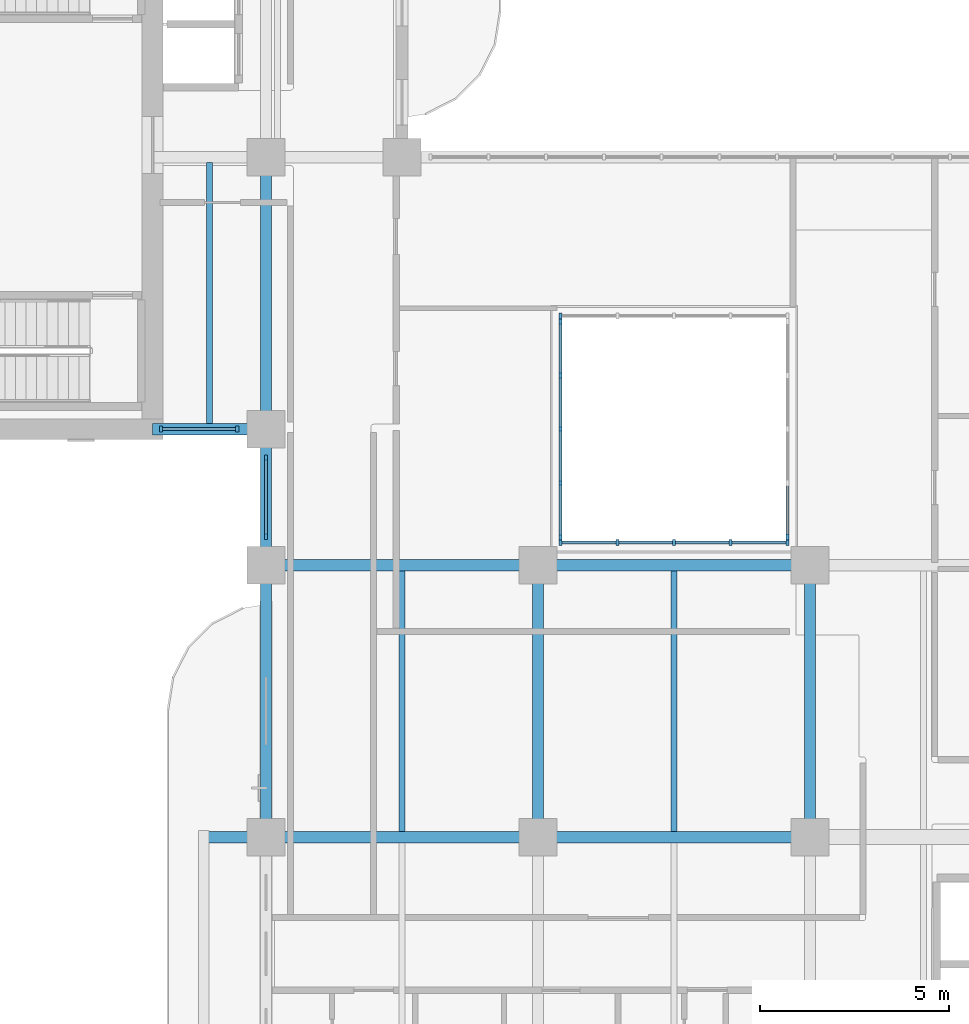
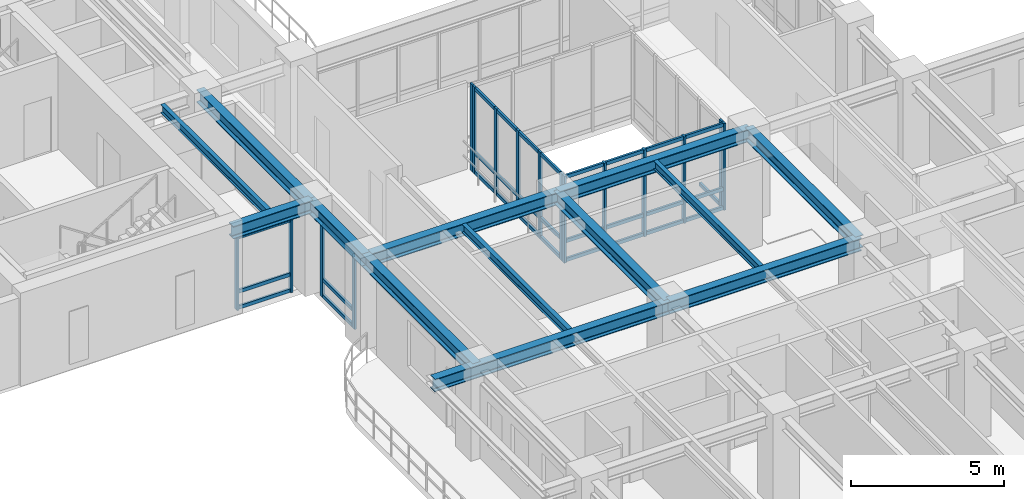
# One storey, part 2 of 20: 47 members, 13 beams, 6 elements without a shape of their own.
"""IFC4 building model written with IfcOpenShell, lengths in metres."""

import ifcopenshell
import ifcopenshell.guid

model = None  # the IFC model being written
_history = None  # IfcOwnerHistory: only IFC2X3 demands one
_inside = {}  # id of a spatial element -> (the spatial element, [elements in it])
_under = {}  # id of a project, library or spatial element -> (it, [spatial elements below it])
_declared = {}  # id of a project -> (the project, [libraries it declares])
_typed = {}  # id of a type object -> (the type object, [elements of that type])
_made_of = {}  # id of a material, layer set ... -> (it, [elements and type objects made of it])


def new_model(schema):
    """Start an empty IFC model of exactly this schema.

    Asked for "IFC4X3", IfcOpenShell would pick the latest addendum, in which some entities
    have other attributes; the version numbers below select the first issue.
    IFC2X3 requires an IfcOwnerHistory on every rooted entity: one is made here for all.
    """
    global model, _history
    if schema == "IFC4X3":
        model = ifcopenshell.file(schema_version=(4, 3, 0, 0))
    else:
        model = ifcopenshell.file(schema=schema)
    _inside.clear()
    _under.clear()
    _declared.clear()
    _typed.clear()
    _made_of.clear()
    _history = None
    if model.schema == "IFC2X3":
        org = make("IfcOrganization", Name="unknown")
        user = make(
            "IfcPersonAndOrganization",
            ThePerson=make("IfcPerson", FamilyName="unknown"),
            TheOrganization=org,
        )
        app = make(
            "IfcApplication",
            ApplicationDeveloper=org,
            Version="unknown",
            ApplicationFullName="unknown",
            ApplicationIdentifier="unknown",
        )
        _history = make(
            "IfcOwnerHistory",
            OwningUser=user,
            OwningApplication=app,
            ChangeAction="ADDED",
            CreationDate=0,
        )
    return model


def make(cls, **values):
    """One entity of the class cls with the attributes given. An attribute that is None is left unset."""
    return model.create_entity(
        cls, **{name: value for name, value in values.items() if value is not None}
    )


def rooted(cls, **values):
    """An entity with a GlobalId (a new one), such as an element, a storey or a relation."""
    return make(cls, GlobalId=ifcopenshell.guid.new(), OwnerHistory=_history, **values)


def si_unit(unit_type, name, prefix=None):
    """IfcSIUnit, for example si_unit("LENGTHUNIT", "METRE", prefix="MILLI")."""
    return make("IfcSIUnit", UnitType=unit_type, Prefix=prefix, Name=name)


def derived_unit(unit_type, elements):
    """IfcDerivedUnit: a product of units, each with its exponent."""
    return make(
        "IfcDerivedUnit",
        Elements=[
            make("IfcDerivedUnitElement", Unit=unit, Exponent=power)
            for unit, power in elements
        ],
        UnitType=unit_type,
    )


def assignment(units):
    """IfcUnitAssignment: the units of a project."""
    return None if units is None else make("IfcUnitAssignment", Units=units)


def point(xyz):
    """IfcCartesianPoint."""
    return None if xyz is None else make("IfcCartesianPoint", Coordinates=xyz)


def direction(xyz):
    """IfcDirection."""
    return None if xyz is None else make("IfcDirection", DirectionRatios=xyz)


def frame(location, z_axis=None, x_axis=None):
    """IfcAxis2Placement3D, a coordinate frame: its origin and axes. An axis left out is left unset."""
    return make(
        "IfcAxis2Placement3D",
        Location=point(location),
        Axis=direction(z_axis),
        RefDirection=direction(x_axis),
    )


def frame_2d(location, x_axis=None):
    """IfcAxis2Placement2D, a coordinate frame in the plane: its origin and x axis."""
    return make(
        "IfcAxis2Placement2D", Location=point(location), RefDirection=direction(x_axis)
    )


def origin():
    """The frame at (0, 0, 0) with its axes left unset."""
    return frame((0.0, 0.0, 0.0))


def origin_2d():
    """The frame at (0, 0) in the plane with its x axis left unset."""
    return frame_2d((0.0, 0.0))


def place(relative_to, where):
    """IfcLocalPlacement: puts the frame where relative to a parent placement (None: the world)."""
    return make(
        "IfcLocalPlacement", PlacementRelTo=relative_to, RelativePlacement=where
    )


def context(
    kind, dimensions, precision=None, world=None, true_north=None, identifier=None
):
    """IfcGeometricRepresentationContext, for example the 3D "Model" context."""
    return make(
        "IfcGeometricRepresentationContext",
        ContextIdentifier=identifier,
        ContextType=kind,
        CoordinateSpaceDimension=dimensions,
        Precision=precision,
        WorldCoordinateSystem=world,
        TrueNorth=true_north,
    )


def subcontext(parent, identifier, kind, view, scale=None):
    """IfcGeometricRepresentationSubContext, for example "Body" below "Model"."""
    return make(
        "IfcGeometricRepresentationSubContext",
        ContextIdentifier=identifier,
        ContextType=kind,
        ParentContext=parent,
        TargetScale=scale,
        TargetView=view,
    )


def project(units=None, contexts=None):
    """IfcProject with its units and contexts."""
    return rooted(
        "IfcProject",
        Name="project",
        RepresentationContexts=contexts,
        UnitsInContext=assignment(units),
    )


def spatial(cls, under=None, at=None, **own):
    """A site, building, storey or space (cls), placed at a placement, below another one or the project."""
    s = rooted(cls, ObjectPlacement=at, **own)
    if under is not None:
        _under.setdefault(under.id(), (under, []))[1].append(s)
    return s


def profile(cls, at=None, kind="AREA", **sizes):
    """A parametric profile (cls). Its sizes go by their IFC names, for example OverallWidth=200.0."""
    return make(cls, ProfileType=kind, Position=at, **sizes)


def rectangle(**sizes):
    """IfcRectangleProfileDef."""
    return profile("IfcRectangleProfileDef", **sizes)


def i_section(**sizes):
    """IfcIShapeProfileDef."""
    return profile("IfcIShapeProfileDef", **sizes)


def extrude(swept, where, along, depth):
    """IfcExtrudedAreaSolid: the profile swept, set in the frame where, extruded along a direction by depth."""
    return make(
        "IfcExtrudedAreaSolid",
        SweptArea=swept,
        Position=where,
        ExtrudedDirection=direction(along),
        Depth=depth,
    )


def shape(context_of_items, identifier, shape_type, items):
    """IfcShapeRepresentation: the items that make up one representation, for example the "Body"."""
    return make(
        "IfcShapeRepresentation",
        ContextOfItems=context_of_items,
        RepresentationIdentifier=identifier,
        RepresentationType=shape_type,
        Items=items,
    )


def source(mapping_origin, context_of_items, identifier, shape_type, items):
    """IfcRepresentationMap: a shape defined once, which mapped items show again and again."""
    return make(
        "IfcRepresentationMap",
        MappingOrigin=mapping_origin,
        MappedRepresentation=shape(context_of_items, identifier, shape_type, items),
    )


def transform(
    local_origin,
    x_axis=None,
    y_axis=None,
    z_axis=None,
    scale=None,
    scale2=None,
    scale3=None,
    uniform=True,
):
    """IfcCartesianTransformationOperator3D, or its non-uniform kind. x_axis, y_axis, z_axis: its Axis1, 2, 3."""
    if uniform:
        return make(
            "IfcCartesianTransformationOperator3D",
            Axis1=direction(x_axis),
            Axis2=direction(y_axis),
            LocalOrigin=point(local_origin),
            Scale=scale,
            Axis3=direction(z_axis),
        )
    return make(
        "IfcCartesianTransformationOperator3DnonUniform",
        Axis1=direction(x_axis),
        Axis2=direction(y_axis),
        LocalOrigin=point(local_origin),
        Scale=scale,
        Axis3=direction(z_axis),
        Scale2=scale2,
        Scale3=scale3,
    )


def mapped(mapping_source, mapping_target):
    """IfcMappedItem: shows the shape of a source again, moved by a transform."""
    return make(
        "IfcMappedItem", MappingSource=mapping_source, MappingTarget=mapping_target
    )


def material(Name=None, Category=None):
    """IfcMaterial."""
    return make("IfcMaterial", Name=Name, Category=Category)


def layer(
    of_material, thickness, ventilated=None, Name=None, Category=None, Priority=None
):
    """IfcMaterialLayer: one layer of a wall or slab, of a material (None: an air gap)."""
    return make(
        "IfcMaterialLayer",
        Material=of_material,
        LayerThickness=thickness,
        IsVentilated=ventilated,
        Name=Name,
        Category=Category,
        Priority=Priority,
    )


def layer_set(layers, Name=None):
    """IfcMaterialLayerSet."""
    return make("IfcMaterialLayerSet", MaterialLayers=layers, LayerSetName=Name)


def material_profile(
    of_material, cross_section, Name=None, Category=None, Priority=None
):
    """IfcMaterialProfile: a cross section and its material."""
    return make(
        "IfcMaterialProfile",
        Name=Name,
        Material=of_material,
        Profile=cross_section,
        Priority=Priority,
        Category=Category,
    )


def profile_set(profiles, Name=None, composite=None):
    """IfcMaterialProfileSet."""
    return make(
        "IfcMaterialProfileSet",
        Name=Name,
        MaterialProfiles=profiles,
        CompositeProfile=composite,
    )


def made_of(thing, what):
    """Note that an element or type object is made of a material, layer set ...; save() writes the relation."""
    if what is not None:
        _made_of.setdefault(what.id(), (what, []))[1].append(thing)
    return thing


def type_object(cls, material=None, **own):
    """A type object (cls), such as IfcWallType, which elements share."""
    return made_of(rooted(cls, **own), material)


def type_shapes(of_type, sources):
    """Give a type object the sources (RepresentationMaps) that its elements show as mapped items."""
    of_type.RepresentationMaps = sources


def element(
    cls,
    number,
    at=None,
    inside=None,
    cuts=None,
    type_object=None,
    material=None,
    context=None,
    identifier="Body",
    shape_type=None,
    held_by="IfcProductDefinitionShape",
    body=None,
    shapes=None,
    **own,
):
    """One element of the class cls, such as IfcWall. Its Tag is "e" and its number.

    at: its placement. inside: the storey or other place that contains it. cuts: it is an
    opening in that element (IfcRelVoidsElement). A single representation is given by context,
    identifier, shape_type and body (its items); several are given by shapes. held_by: the class
    of the entity that holds the representations. save() writes the other relations.
    """
    e = rooted(cls, Tag="e%d" % number, ObjectPlacement=at, **own)
    if body is not None:
        shapes = [shape(context, identifier, shape_type, body)]
    if shapes is not None:
        e.Representation = make(held_by, Representations=shapes)
    if inside is not None:
        _inside.setdefault(inside.id(), (inside, []))[1].append(e)
    if cuts is not None:
        rooted(
            "IfcRelVoidsElement", RelatingBuildingElement=cuts, RelatedOpeningElement=e
        )
    if type_object is not None:
        _typed.setdefault(type_object.id(), (type_object, []))[1].append(e)
    return made_of(e, material)


def aggregate(whole, parts):
    """IfcRelAggregates: a whole, such as a stair, and the parts it consists of."""
    return rooted("IfcRelAggregates", RelatingObject=whole, RelatedObjects=parts)


def save(model, path):
    """Write the relations noted so far, then the file.

    IfcRelAggregates (storeys below a building ...), IfcRelContainedInSpatialStructure (elements
    in a storey), IfcRelDefinesByType, IfcRelAssociatesMaterial and IfcRelDeclares: one each for
    every whole, place, type object, material and project.
    """
    for whole, parts in _under.values():
        aggregate(whole, parts)
    for where, things in _inside.values():
        rooted(
            "IfcRelContainedInSpatialStructure",
            RelatedElements=things,
            RelatingStructure=where,
        )
    for kind, things in _typed.values():
        rooted("IfcRelDefinesByType", RelatedObjects=things, RelatingType=kind)
    for what, things in _made_of.values():
        rooted("IfcRelAssociatesMaterial", RelatedObjects=things, RelatingMaterial=what)
    for by, libraries in _declared.values():
        rooted("IfcRelDeclares", RelatingContext=by, RelatedDefinitions=libraries)
    model.write(path)


model = new_model("IFC4")

# Units and contexts
model_context = context("Model", 3, precision=1e-05, world=origin(), true_north=direction((0.0, 1.0)))
body_context = subcontext(model_context, "Body", "Model", "MODEL_VIEW")
ifc_project = project(units=[si_unit("LENGTHUNIT", "METRE"), si_unit("AREAUNIT", "SQUARE_METRE"), si_unit("VOLUMEUNIT", "CUBIC_METRE"), si_unit("PLANEANGLEUNIT", "RADIAN"), si_unit("MASSUNIT", "GRAM", prefix="KILO"), si_unit("THERMODYNAMICTEMPERATUREUNIT", "KELVIN"), si_unit("POWERUNIT", "WATT"), derived_unit("THERMALTRANSMITTANCEUNIT", [(si_unit("POWERUNIT", "WATT"), 1), (si_unit("AREAUNIT", "SQUARE_METRE"), -1), (si_unit("THERMODYNAMICTEMPERATUREUNIT", "KELVIN"), -1)])], contexts=[model_context])

# Site, building, storey
site_placement = place(None, origin())
site = spatial("IfcSite", under=ifc_project, at=site_placement, CompositionType="ELEMENT")
building_placement = place(site_placement, origin())
building = spatial("IfcBuilding", under=site, at=building_placement, Name="Zahravan Archway Hotel and Residences", CompositionType="ELEMENT")
storey_placement = place(building_placement, frame((0.0, 0.0, 122.89990234375)))
storey = spatial("IfcBuildingStorey", under=building, at=storey_placement, Name="L30", CompositionType="ELEMENT", Elevation=122.89990234375)

# Beams
ifc_material_1 = material(Name="Structural Steel S355JR", Category="steel")
ifc_material_profile_1 = material_profile(ifc_material_1, i_section(OverallWidth=0.300048828125, OverallDepth=0.5, WebThickness=0.014404296875, FlangeThickness=0.028076171875, FilletRadius=0.027099609375, at=origin_2d()), Name="HEB 500", Category="steel")
ifc_profile_set_1 = profile_set([ifc_material_profile_1], Name="Structural Steel S355JR")
beam_type_1 = type_object("IfcBeamType", Name="BM-PRI-HEB500", PredefinedType="BEAM", material=ifc_profile_set_1)
shared_shape_1 = source(origin(), body_context, "Body", "SweptSolid", [
    extrude(i_section(OverallWidth=0.300048828125, OverallDepth=0.5, WebThickness=0.014404296875, FlangeThickness=0.028076171875, FilletRadius=0.027099609375, at=origin_2d()), origin(), (0.0, 0.0, 1.0), 7.2001953125),
])
type_shapes(beam_type_1, [shared_shape_1])
for number, where, z_axis, x_axis, name in (
    (1, (14.39990234375, 21.60009765625, 3.2001953125), (1.0, 0.0, 0.0), (0.0, 1.0, 0.0), "L30 Primary Girder EW-11"),
    (2, (14.39990234375, 14.39990234375, 3.2001953125), (0.0, 1.0, 0.0), (-1.0, 0.0, 0.0), "L30 Primary Girder NS-30"),
    (3, (21.60009765625, 14.39990234375, 3.2001953125), (0.0, 1.0, 0.0), (-1.0, 0.0, 0.0), "L30 Primary Girder NS-37"),
    (4, (28.800048828125, 14.39990234375, 3.2001953125), (0.0, 1.0, 0.0), (-1.0, 0.0, 0.0), "L30 Primary Girder NS-40"),
):
    element("IfcBeam", number, at=place(storey_placement, frame(where, z_axis=z_axis, x_axis=x_axis)), inside=storey, type_object=beam_type_1, Name=name, PredefinedType="BEAM", context=body_context, shape_type="MappedRepresentation", body=[
        mapped(shared_shape_1, transform((0.0, 0.0, 0.0), scale=1.0)),
    ])
shared_shape_2 = source(origin(), body_context, "Body", "SweptSolid", [
    extrude(i_section(OverallWidth=0.300048828125, OverallDepth=0.5, WebThickness=0.014404296875, FlangeThickness=0.028076171875, FilletRadius=0.027099609375, at=origin_2d()), origin(), (0.0, 0.0, 1.0), 7.199951171875),
])
for number, where, z_axis, x_axis, name in (
    (5, (21.60009765625, 14.39990234375, 3.2001953125), (1.0, 0.0, 0.0), (0.0, 1.0, 0.0), "L30 Primary Girder EW-10"),
    (6, (21.60009765625, 21.60009765625, 3.2001953125), (1.0, 0.0, 0.0), (0.0, 1.0, 0.0), "L30 Primary Girder EW-12"),
    (7, (14.39990234375, 25.199951171875, 3.2001953125), (0.0, 1.0, 0.0), (-1.0, 0.0, 0.0), "L30 Primary Girder NS-32"),
):
    element("IfcBeam", number, at=place(storey_placement, frame(where, z_axis=z_axis, x_axis=x_axis)), inside=storey, type_object=beam_type_1, Name=name, PredefinedType="BEAM", context=body_context, shape_type="MappedRepresentation", body=[
        mapped(shared_shape_2, transform((0.0, 0.0, 0.0), scale=1.0)),
    ])
shared_shape_3 = source(origin(), body_context, "Body", "SweptSolid", [
    extrude(i_section(OverallWidth=0.300048828125, OverallDepth=0.5, WebThickness=0.014404296875, FlangeThickness=0.028076171875, FilletRadius=0.027099609375, at=origin_2d()), origin(), (0.0, 0.0, 1.0), 3.0),
])
beam_1_placement = place(storey_placement, frame((11.39990234375, 25.199951171875, 3.2001953125), z_axis=(1.0, 0.0, 0.0), x_axis=(0.0, 1.0, 0.0)))
element("IfcBeam", 8, at=beam_1_placement, inside=storey, type_object=beam_type_1, Name="L30 Primary Girder EW-16", PredefinedType="BEAM", context=body_context, shape_type="MappedRepresentation", body=[
    mapped(shared_shape_3, transform((0.0, 0.0, 0.0), scale=1.0)),
])
shared_shape_4 = source(origin(), body_context, "Body", "SweptSolid", [
    extrude(i_section(OverallWidth=0.300048828125, OverallDepth=0.5, WebThickness=0.014404296875, FlangeThickness=0.028076171875, FilletRadius=0.027099609375, at=origin_2d()), origin(), (0.0, 0.0, 1.0), 3.599853515625),
])
beam_2_placement = place(storey_placement, frame((14.39990234375, 21.60009765625, 3.2001953125), z_axis=(0.0, 1.0, 0.0), x_axis=(-1.0, 0.0, 0.0)))
element("IfcBeam", 9, at=beam_2_placement, inside=storey, type_object=beam_type_1, Name="L30 Primary Girder NS-31", PredefinedType="BEAM", context=body_context, shape_type="MappedRepresentation", body=[
    mapped(shared_shape_4, transform((0.0, 0.0, 0.0), scale=1.0)),
])
ifc_material_profile_2 = material_profile(ifc_material_1, i_section(OverallWidth=0.159912109375, OverallDepth=0.330078125, WebThickness=0.007568359375, FlangeThickness=0.011474609375, FilletRadius=0.01806640625, at=origin_2d()), Name="IPE 330", Category="steel")
ifc_profile_set_2 = profile_set([ifc_material_profile_2], Name="Structural Steel S355JR")
beam_type_2 = type_object("IfcBeamType", Name="BM-JST-IPE330", PredefinedType="JOIST", material=ifc_profile_set_2)
shared_shape_5 = source(origin(), body_context, "Body", "SweptSolid", [
    extrude(i_section(OverallWidth=0.159912109375, OverallDepth=0.330078125, WebThickness=0.007568359375, FlangeThickness=0.011474609375, FilletRadius=0.01806640625, at=origin_2d()), origin(), (0.0, 0.0, 1.0), 6.904052734375),
])
type_shapes(beam_type_2, [shared_shape_5])
beam_3_placement = place(storey_placement, frame((12.89990234375, 25.347900390625, 3.28515625), z_axis=(0.0, 1.0, 0.0), x_axis=(-1.0, 0.0, 0.0)))
element("IfcBeam", 10, at=beam_3_placement, inside=storey, type_object=beam_type_2, Name="L30 Composite Floor Joist 10", PredefinedType="JOIST", context=body_context, shape_type="MappedRepresentation", body=[
    mapped(shared_shape_5, transform((0.0, 0.0, 0.0), scale=1.0)),
])
shared_shape_6 = source(origin(), body_context, "Body", "SweptSolid", [
    extrude(i_section(OverallWidth=0.159912109375, OverallDepth=0.330078125, WebThickness=0.007568359375, FlangeThickness=0.011474609375, FilletRadius=0.01806640625, at=origin_2d()), origin(), (0.0, 0.0, 1.0), 6.90380859375),
])
for number, where, z_axis, x_axis, name in (
    (11, (18.0, 14.548095703125, 3.28515625), (0.0, 1.0, 0.0), (-1.0, 0.0, 0.0), "L30 Composite Floor Joist 08"),
    (12, (25.199951171875, 14.548095703125, 3.28515625), (0.0, 1.0, 0.0), (-1.0, 0.0, 0.0), "L30 Composite Floor Joist 09"),
):
    element("IfcBeam", number, at=place(storey_placement, frame(where, z_axis=z_axis, x_axis=x_axis)), inside=storey, type_object=beam_type_2, Name=name, PredefinedType="JOIST", context=body_context, shape_type="MappedRepresentation", body=[
        mapped(shared_shape_6, transform((0.0, 0.0, 0.0), scale=1.0)),
    ])
shared_shape_7 = source(origin(), body_context, "Body", "SweptSolid", [
    extrude(i_section(OverallWidth=0.300048828125, OverallDepth=0.5, WebThickness=0.014404296875, FlangeThickness=0.028076171875, FilletRadius=0.027099609375, at=origin_2d()), origin(), (0.0, 0.0, 1.0), 8.85009765625),
])
beam_4_placement = place(storey_placement, frame((12.75, 14.39990234375, 3.2001953125), z_axis=(1.0, 0.0, 0.0), x_axis=(0.0, 1.0, 0.0)))
element("IfcBeam", 13, at=beam_4_placement, inside=storey, type_object=beam_type_1, Name="L30 Primary Girder EW-09", PredefinedType="BEAM", context=body_context, shape_type="MappedRepresentation", body=[
    mapped(shared_shape_7, transform((0.0, 0.0, 0.0), scale=1.0)),
])

# Curtain wall, members
ifc_material_2 = material(Name="Bronze-Anodized Unitised Aluminium & Low-E Glass", Category="aluminium")
ifc_layer_1 = layer(ifc_material_2, 0.179931640625, Name="Bronze-Anodized Unitised Aluminium & Low-E Glass", Category="aluminium")
ifc_layer_set_1 = layer_set([ifc_layer_1], Name="Bronze-Anodized Unitised Aluminium & Low-E Glass")
curtain_wall_type_1 = type_object("IfcCurtainWallType", Name="CW-TWR-FEAT", PredefinedType="NOTDEFINED", material=ifc_layer_set_1)
curtain_wall_1_placement = place(storey_placement, origin())
curtain_wall_1 = element("IfcCurtainWall", 14, at=curtain_wall_1_placement, inside=storey, type_object=curtain_wall_type_1, Name="L30 Curtain Wall CW-L30-WB-SE-1", PredefinedType="NOTDEFINED")
ifc_material_3 = material(Name="Bronze-Anodized Extruded Aluminium", Category="aluminium")
ifc_material_profile_3 = material_profile(ifc_material_3, rectangle(XDim=0.080078125, YDim=0.139892578125, at=origin_2d()), Name="TRN 80x140", Category="aluminium")
ifc_profile_set_3 = profile_set([ifc_material_profile_3], Name="Bronze-Anodized Extruded Aluminium")
member_type_1 = type_object("IfcMemberType", Name="CWM-TRN-140", PredefinedType="USERDEFINED", material=ifc_profile_set_3)
shared_shape_8 = source(origin(), body_context, "Body", "SweptSolid", [
    extrude(rectangle(XDim=0.080078125, YDim=0.139892578125, at=origin_2d()), origin(), (0.0, 0.0, 1.0), 1.940185546875),
])
member_1_placement = place(storey_placement, frame((11.659912109375, 25.199951171875, 0.070068359375), z_axis=(1.0, 0.0, 0.0), x_axis=(0.0, 1.0, 0.0)))
member_1 = element("IfcMember", 15, at=member_1_placement, type_object=member_type_1, Name="CW-L30-WB-SE-1 Transom 0-1", ObjectType="TRANSOM", PredefinedType="USERDEFINED", context=body_context, shape_type="MappedRepresentation", body=[
    mapped(shared_shape_8, transform((0.0, 0.0, 0.0), scale=1.0)),
])
member_2_placement = place(storey_placement, frame((11.659912109375, 25.199951171875, 0.70458984375), z_axis=(1.0, 0.0, 0.0), x_axis=(0.0, 1.0, 0.0)))
member_2 = element("IfcMember", 16, at=member_2_placement, type_object=member_type_1, Name="CW-L30-WB-SE-1 Transom 0-2", ObjectType="TRANSOM", PredefinedType="USERDEFINED", context=body_context, shape_type="MappedRepresentation", body=[
    mapped(shared_shape_8, transform((0.0, 0.0, 0.0), scale=1.0)),
])
member_3_placement = place(storey_placement, frame((11.659912109375, 25.199951171875, 2.864990234375), z_axis=(1.0, 0.0, 0.0), x_axis=(0.0, 1.0, 0.0)))
member_3 = element("IfcMember", 17, at=member_3_placement, type_object=member_type_1, Name="CW-L30-WB-SE-1 Transom 0-3", ObjectType="TRANSOM", PredefinedType="USERDEFINED", context=body_context, shape_type="MappedRepresentation", body=[
    mapped(shared_shape_8, transform((0.0, 0.0, 0.0), scale=1.0)),
])

curtain_wall_2_placement = place(storey_placement, origin())
curtain_wall_2 = element("IfcCurtainWall", 18, at=curtain_wall_2_placement, inside=storey, type_object=curtain_wall_type_1, Name="L30 Curtain Wall CW-L30-WA-WLU-1", PredefinedType="NOTDEFINED")
shared_shape_9 = source(origin(), body_context, "Body", "SweptSolid", [
    extrude(rectangle(XDim=0.080078125, YDim=0.139892578125, at=origin_2d()), origin(), (0.0, 0.0, 1.0), 2.0),
])
member_4_placement = place(storey_placement, frame((14.39990234375, 22.39990234375, 0.070068359375), z_axis=(0.0, 1.0, 0.0), x_axis=(-1.0, 0.0, 0.0)))
member_4 = element("IfcMember", 19, at=member_4_placement, type_object=member_type_1, Name="CW-L30-WA-WLU-1 Transom 0-1", ObjectType="TRANSOM", PredefinedType="USERDEFINED", context=body_context, shape_type="MappedRepresentation", body=[
    mapped(shared_shape_9, transform((0.0, 0.0, 0.0), scale=1.0)),
])
member_5_placement = place(storey_placement, frame((14.39990234375, 22.39990234375, 0.70458984375), z_axis=(0.0, 1.0, 0.0), x_axis=(-1.0, 0.0, 0.0)))
member_5 = element("IfcMember", 20, at=member_5_placement, type_object=member_type_1, Name="CW-L30-WA-WLU-1 Transom 0-2", ObjectType="TRANSOM", PredefinedType="USERDEFINED", context=body_context, shape_type="MappedRepresentation", body=[
    mapped(shared_shape_9, transform((0.0, 0.0, 0.0), scale=1.0)),
])
member_6_placement = place(storey_placement, frame((14.39990234375, 22.39990234375, 2.864990234375), z_axis=(0.0, 1.0, 0.0), x_axis=(-1.0, 0.0, 0.0)))
member_6 = element("IfcMember", 21, at=member_6_placement, type_object=member_type_1, Name="CW-L30-WA-WLU-1 Transom 0-3", ObjectType="TRANSOM", PredefinedType="USERDEFINED", context=body_context, shape_type="MappedRepresentation", body=[
    mapped(shared_shape_9, transform((0.0, 0.0, 0.0), scale=1.0)),
])

ifc_layer_2 = layer(ifc_material_2, 0.179931640625, Name="Bronze-Anodized Unitised Aluminium & Low-E Glass", Category="aluminium")
ifc_layer_set_2 = layer_set([ifc_layer_2], Name="Bronze-Anodized Unitised Aluminium & Low-E Glass")
curtain_wall_type_2 = type_object("IfcCurtainWallType", Name="CW-ATR-GLAZ", PredefinedType="NOTDEFINED", material=ifc_layer_set_2)
curtain_wall_3_placement = place(storey_placement, origin())
curtain_wall_3 = element("IfcCurtainWall", 22, at=curtain_wall_3_placement, inside=storey, type_object=curtain_wall_type_2, Name="L30 Curtain Wall CW-ATR-L30-S-1", PredefinedType="NOTDEFINED")
shared_shape_10 = source(origin(), body_context, "Body", "SweptSolid", [
    extrude(rectangle(XDim=0.080078125, YDim=0.139892578125, at=origin_2d()), origin(), (0.0, 0.0, 1.0), 1.419921875),
])
member_7_placement = place(storey_placement, frame((22.239990234375, 22.199951171875, 0.070068359375), z_axis=(1.0, 0.0, 0.0), x_axis=(0.0, 1.0, 0.0)))
member_7 = element("IfcMember", 23, at=member_7_placement, type_object=member_type_1, Name="CW-ATR-L30-S-1 Transom 0-1", ObjectType="TRANSOM", PredefinedType="USERDEFINED", context=body_context, shape_type="MappedRepresentation", body=[
    mapped(shared_shape_10, transform((0.0, 0.0, 0.0), scale=1.0)),
])
member_8_placement = place(storey_placement, frame((22.239990234375, 22.199951171875, 0.828125), z_axis=(1.0, 0.0, 0.0), x_axis=(0.0, 1.0, 0.0)))
member_8 = element("IfcMember", 24, at=member_8_placement, type_object=member_type_1, Name="CW-ATR-L30-S-1 Transom 0-2", ObjectType="TRANSOM", PredefinedType="USERDEFINED", context=body_context, shape_type="MappedRepresentation", body=[
    mapped(shared_shape_10, transform((0.0, 0.0, 0.0), scale=1.0)),
])
member_9_placement = place(storey_placement, frame((22.239990234375, 22.199951171875, 3.380126953125), z_axis=(1.0, 0.0, 0.0), x_axis=(0.0, 1.0, 0.0)))
member_9 = element("IfcMember", 25, at=member_9_placement, type_object=member_type_1, Name="CW-ATR-L30-S-1 Transom 0-3", ObjectType="TRANSOM", PredefinedType="USERDEFINED", context=body_context, shape_type="MappedRepresentation", body=[
    mapped(shared_shape_10, transform((0.0, 0.0, 0.0), scale=1.0)),
])
member_10_placement = place(storey_placement, frame((23.739990234375, 22.199951171875, 0.070068359375), z_axis=(1.0, 0.0, 0.0), x_axis=(0.0, 1.0, 0.0)))
member_10 = element("IfcMember", 26, at=member_10_placement, type_object=member_type_1, Name="CW-ATR-L30-S-1 Transom 1-1", ObjectType="TRANSOM", PredefinedType="USERDEFINED", context=body_context, shape_type="MappedRepresentation", body=[
    mapped(shared_shape_10, transform((0.0, 0.0, 0.0), scale=1.0)),
])
member_11_placement = place(storey_placement, frame((23.739990234375, 22.199951171875, 0.828125), z_axis=(1.0, 0.0, 0.0), x_axis=(0.0, 1.0, 0.0)))
member_11 = element("IfcMember", 27, at=member_11_placement, type_object=member_type_1, Name="CW-ATR-L30-S-1 Transom 1-2", ObjectType="TRANSOM", PredefinedType="USERDEFINED", context=body_context, shape_type="MappedRepresentation", body=[
    mapped(shared_shape_10, transform((0.0, 0.0, 0.0), scale=1.0)),
])
member_12_placement = place(storey_placement, frame((23.739990234375, 22.199951171875, 3.380126953125), z_axis=(1.0, 0.0, 0.0), x_axis=(0.0, 1.0, 0.0)))
member_12 = element("IfcMember", 28, at=member_12_placement, type_object=member_type_1, Name="CW-ATR-L30-S-1 Transom 1-3", ObjectType="TRANSOM", PredefinedType="USERDEFINED", context=body_context, shape_type="MappedRepresentation", body=[
    mapped(shared_shape_10, transform((0.0, 0.0, 0.0), scale=1.0)),
])
member_13_placement = place(storey_placement, frame((25.239990234375, 22.199951171875, 0.070068359375), z_axis=(1.0, 0.0, 0.0), x_axis=(0.0, 1.0, 0.0)))
member_13 = element("IfcMember", 29, at=member_13_placement, type_object=member_type_1, Name="CW-ATR-L30-S-1 Transom 2-1", ObjectType="TRANSOM", PredefinedType="USERDEFINED", context=body_context, shape_type="MappedRepresentation", body=[
    mapped(shared_shape_10, transform((0.0, 0.0, 0.0), scale=1.0)),
])
member_14_placement = place(storey_placement, frame((25.239990234375, 22.199951171875, 0.828125), z_axis=(1.0, 0.0, 0.0), x_axis=(0.0, 1.0, 0.0)))
member_14 = element("IfcMember", 30, at=member_14_placement, type_object=member_type_1, Name="CW-ATR-L30-S-1 Transom 2-2", ObjectType="TRANSOM", PredefinedType="USERDEFINED", context=body_context, shape_type="MappedRepresentation", body=[
    mapped(shared_shape_10, transform((0.0, 0.0, 0.0), scale=1.0)),
])
member_15_placement = place(storey_placement, frame((25.239990234375, 22.199951171875, 3.380126953125), z_axis=(1.0, 0.0, 0.0), x_axis=(0.0, 1.0, 0.0)))
member_15 = element("IfcMember", 31, at=member_15_placement, type_object=member_type_1, Name="CW-ATR-L30-S-1 Transom 2-3", ObjectType="TRANSOM", PredefinedType="USERDEFINED", context=body_context, shape_type="MappedRepresentation", body=[
    mapped(shared_shape_10, transform((0.0, 0.0, 0.0), scale=1.0)),
])
member_16_placement = place(storey_placement, frame((26.739990234375, 22.199951171875, 0.070068359375), z_axis=(1.0, 0.0, 0.0), x_axis=(0.0, 1.0, 0.0)))
member_16 = element("IfcMember", 32, at=member_16_placement, type_object=member_type_1, Name="CW-ATR-L30-S-1 Transom 3-1", ObjectType="TRANSOM", PredefinedType="USERDEFINED", context=body_context, shape_type="MappedRepresentation", body=[
    mapped(shared_shape_10, transform((0.0, 0.0, 0.0), scale=1.0)),
])
member_17_placement = place(storey_placement, frame((26.739990234375, 22.199951171875, 0.828125), z_axis=(1.0, 0.0, 0.0), x_axis=(0.0, 1.0, 0.0)))
member_17 = element("IfcMember", 33, at=member_17_placement, type_object=member_type_1, Name="CW-ATR-L30-S-1 Transom 3-2", ObjectType="TRANSOM", PredefinedType="USERDEFINED", context=body_context, shape_type="MappedRepresentation", body=[
    mapped(shared_shape_10, transform((0.0, 0.0, 0.0), scale=1.0)),
])
member_18_placement = place(storey_placement, frame((26.739990234375, 22.199951171875, 3.380126953125), z_axis=(1.0, 0.0, 0.0), x_axis=(0.0, 1.0, 0.0)))
member_18 = element("IfcMember", 34, at=member_18_placement, type_object=member_type_1, Name="CW-ATR-L30-S-1 Transom 3-3", ObjectType="TRANSOM", PredefinedType="USERDEFINED", context=body_context, shape_type="MappedRepresentation", body=[
    mapped(shared_shape_10, transform((0.0, 0.0, 0.0), scale=1.0)),
])

curtain_wall_4_placement = place(storey_placement, origin())
curtain_wall_4 = element("IfcCurtainWall", 35, at=curtain_wall_4_placement, inside=storey, type_object=curtain_wall_type_2, Name="L30 Curtain Wall CW-ATR-L30-W-1", PredefinedType="NOTDEFINED")
shared_shape_11 = source(origin(), body_context, "Body", "SweptSolid", [
    extrude(rectangle(XDim=0.080078125, YDim=0.139892578125, at=origin_2d()), origin(), (0.0, 0.0, 1.0), 1.34521484375),
])
member_19_placement = place(storey_placement, frame((22.199951171875, 22.389892578125, 0.070068359375), z_axis=(0.0, 1.0, 0.0), x_axis=(-1.0, 0.0, 0.0)))
member_19 = element("IfcMember", 36, at=member_19_placement, type_object=member_type_1, Name="CW-ATR-L30-W-1 Transom 0-1", ObjectType="TRANSOM", PredefinedType="USERDEFINED", context=body_context, shape_type="MappedRepresentation", body=[
    mapped(shared_shape_11, transform((0.0, 0.0, 0.0), scale=1.0)),
])
member_20_placement = place(storey_placement, frame((22.199951171875, 22.389892578125, 0.828125), z_axis=(0.0, 1.0, 0.0), x_axis=(-1.0, 0.0, 0.0)))
member_20 = element("IfcMember", 37, at=member_20_placement, type_object=member_type_1, Name="CW-ATR-L30-W-1 Transom 0-2", ObjectType="TRANSOM", PredefinedType="USERDEFINED", context=body_context, shape_type="MappedRepresentation", body=[
    mapped(shared_shape_11, transform((0.0, 0.0, 0.0), scale=1.0)),
])
member_21_placement = place(storey_placement, frame((22.199951171875, 22.389892578125, 3.380126953125), z_axis=(0.0, 1.0, 0.0), x_axis=(-1.0, 0.0, 0.0)))
member_21 = element("IfcMember", 38, at=member_21_placement, type_object=member_type_1, Name="CW-ATR-L30-W-1 Transom 0-3", ObjectType="TRANSOM", PredefinedType="USERDEFINED", context=body_context, shape_type="MappedRepresentation", body=[
    mapped(shared_shape_11, transform((0.0, 0.0, 0.0), scale=1.0)),
])

# Curtain wall, member
curtain_wall_5_placement = place(storey_placement, origin())
curtain_wall_5 = element("IfcCurtainWall", 39, at=curtain_wall_5_placement, inside=storey, type_object=curtain_wall_type_2, Name="L30 Curtain Wall CW-ATR-L30-E-1", PredefinedType="NOTDEFINED")
member_22_placement = place(storey_placement, frame((28.199951171875, 22.389892578125, 0.070068359375), z_axis=(0.0, 1.0, 0.0), x_axis=(-1.0, 0.0, 0.0)))
member_22 = element("IfcMember", 40, at=member_22_placement, type_object=member_type_1, Name="CW-ATR-L30-E-1 Transom 0-1", ObjectType="TRANSOM", PredefinedType="USERDEFINED", context=body_context, shape_type="MappedRepresentation", body=[
    mapped(shared_shape_11, transform((0.0, 0.0, 0.0), scale=1.0)),
])

# Member
shared_shape_12 = source(origin(), body_context, "Body", "SweptSolid", [
    extrude(rectangle(XDim=0.080078125, YDim=0.139892578125, at=origin_2d()), origin(), (0.0, 0.0, 1.0), 1.344970703125),
])
member_23_placement = place(storey_placement, frame((22.199951171875, 23.81494140625, 0.070068359375), z_axis=(0.0, 1.0, 0.0), x_axis=(-1.0, 0.0, 0.0)))
member_23 = element("IfcMember", 41, at=member_23_placement, type_object=member_type_1, Name="CW-ATR-L30-W-1 Transom 1-1", ObjectType="TRANSOM", PredefinedType="USERDEFINED", context=body_context, shape_type="MappedRepresentation", body=[
    mapped(shared_shape_12, transform((0.0, 0.0, 0.0), scale=1.0)),
])

member_24_placement = place(storey_placement, frame((22.199951171875, 23.81494140625, 0.828125), z_axis=(0.0, 1.0, 0.0), x_axis=(-1.0, 0.0, 0.0)))
member_24 = element("IfcMember", 42, at=member_24_placement, type_object=member_type_1, Name="CW-ATR-L30-W-1 Transom 1-2", ObjectType="TRANSOM", PredefinedType="USERDEFINED", context=body_context, shape_type="MappedRepresentation", body=[
    mapped(shared_shape_12, transform((0.0, 0.0, 0.0), scale=1.0)),
])

member_25_placement = place(storey_placement, frame((22.199951171875, 23.81494140625, 3.380126953125), z_axis=(0.0, 1.0, 0.0), x_axis=(-1.0, 0.0, 0.0)))
member_25 = element("IfcMember", 43, at=member_25_placement, type_object=member_type_1, Name="CW-ATR-L30-W-1 Transom 1-3", ObjectType="TRANSOM", PredefinedType="USERDEFINED", context=body_context, shape_type="MappedRepresentation", body=[
    mapped(shared_shape_12, transform((0.0, 0.0, 0.0), scale=1.0)),
])

member_26_placement = place(storey_placement, frame((22.199951171875, 25.239990234375, 0.070068359375), z_axis=(0.0, 1.0, 0.0), x_axis=(-1.0, 0.0, 0.0)))
member_26 = element("IfcMember", 44, at=member_26_placement, type_object=member_type_1, Name="CW-ATR-L30-W-1 Transom 2-1", ObjectType="TRANSOM", PredefinedType="USERDEFINED", context=body_context, shape_type="MappedRepresentation", body=[
    mapped(shared_shape_12, transform((0.0, 0.0, 0.0), scale=1.0)),
])

member_27_placement = place(storey_placement, frame((22.199951171875, 25.239990234375, 0.828125), z_axis=(0.0, 1.0, 0.0), x_axis=(-1.0, 0.0, 0.0)))
member_27 = element("IfcMember", 45, at=member_27_placement, type_object=member_type_1, Name="CW-ATR-L30-W-1 Transom 2-2", ObjectType="TRANSOM", PredefinedType="USERDEFINED", context=body_context, shape_type="MappedRepresentation", body=[
    mapped(shared_shape_12, transform((0.0, 0.0, 0.0), scale=1.0)),
])

member_28_placement = place(storey_placement, frame((22.199951171875, 25.239990234375, 3.380126953125), z_axis=(0.0, 1.0, 0.0), x_axis=(-1.0, 0.0, 0.0)))
member_28 = element("IfcMember", 46, at=member_28_placement, type_object=member_type_1, Name="CW-ATR-L30-W-1 Transom 2-3", ObjectType="TRANSOM", PredefinedType="USERDEFINED", context=body_context, shape_type="MappedRepresentation", body=[
    mapped(shared_shape_12, transform((0.0, 0.0, 0.0), scale=1.0)),
])

member_29_placement = place(storey_placement, frame((22.199951171875, 26.6650390625, 0.070068359375), z_axis=(0.0, 1.0, 0.0), x_axis=(-1.0, 0.0, 0.0)))
member_29 = element("IfcMember", 47, at=member_29_placement, type_object=member_type_1, Name="CW-ATR-L30-W-1 Transom 3-1", ObjectType="TRANSOM", PredefinedType="USERDEFINED", context=body_context, shape_type="MappedRepresentation", body=[
    mapped(shared_shape_12, transform((0.0, 0.0, 0.0), scale=1.0)),
])

member_30_placement = place(storey_placement, frame((22.199951171875, 26.6650390625, 0.828125), z_axis=(0.0, 1.0, 0.0), x_axis=(-1.0, 0.0, 0.0)))
member_30 = element("IfcMember", 48, at=member_30_placement, type_object=member_type_1, Name="CW-ATR-L30-W-1 Transom 3-2", ObjectType="TRANSOM", PredefinedType="USERDEFINED", context=body_context, shape_type="MappedRepresentation", body=[
    mapped(shared_shape_12, transform((0.0, 0.0, 0.0), scale=1.0)),
])

member_31_placement = place(storey_placement, frame((22.199951171875, 26.6650390625, 3.380126953125), z_axis=(0.0, 1.0, 0.0), x_axis=(-1.0, 0.0, 0.0)))
member_31 = element("IfcMember", 49, at=member_31_placement, type_object=member_type_1, Name="CW-ATR-L30-W-1 Transom 3-3", ObjectType="TRANSOM", PredefinedType="USERDEFINED", context=body_context, shape_type="MappedRepresentation", body=[
    mapped(shared_shape_12, transform((0.0, 0.0, 0.0), scale=1.0)),
])

ifc_material_profile_4 = material_profile(ifc_material_3, rectangle(XDim=0.080078125, YDim=0.159912109375, at=origin_2d()), Name="MUL 80x160", Category="aluminium")
ifc_profile_set_4 = profile_set([ifc_material_profile_4], Name="Bronze-Anodized Extruded Aluminium")
member_type_2 = type_object("IfcMemberType", Name="CWM-MUL-160", PredefinedType="MULLION", material=ifc_profile_set_4)
shared_shape_13 = source(origin(), body_context, "Body", "SweptSolid", [
    extrude(rectangle(XDim=0.080078125, YDim=0.159912109375, at=origin_2d()), origin(), (0.0, 0.0, 1.0), 3.4501953125),
])
member_32_placement = place(storey_placement, frame((22.199951171875, 22.199951171875, 0.0), z_axis=(0.0, 0.0, 1.0), x_axis=(1.0, 0.0, 0.0)))
member_32 = element("IfcMember", 50, at=member_32_placement, type_object=member_type_2, Name="CW-ATR-L30-S-1 Mullion 0", PredefinedType="MULLION", context=body_context, shape_type="MappedRepresentation", body=[
    mapped(shared_shape_13, transform((0.0, 0.0, 0.0), scale=1.0)),
])

member_33_placement = place(storey_placement, frame((23.699951171875, 22.199951171875, 0.0), z_axis=(0.0, 0.0, 1.0), x_axis=(1.0, 0.0, 0.0)))
member_33 = element("IfcMember", 51, at=member_33_placement, type_object=member_type_2, Name="CW-ATR-L30-S-1 Mullion 1", PredefinedType="MULLION", context=body_context, shape_type="MappedRepresentation", body=[
    mapped(shared_shape_13, transform((0.0, 0.0, 0.0), scale=1.0)),
])

member_34_placement = place(storey_placement, frame((25.199951171875, 22.199951171875, 0.0), z_axis=(0.0, 0.0, 1.0), x_axis=(1.0, 0.0, 0.0)))
member_34 = element("IfcMember", 52, at=member_34_placement, type_object=member_type_2, Name="CW-ATR-L30-S-1 Mullion 2", PredefinedType="MULLION", context=body_context, shape_type="MappedRepresentation", body=[
    mapped(shared_shape_13, transform((0.0, 0.0, 0.0), scale=1.0)),
])

member_35_placement = place(storey_placement, frame((26.699951171875, 22.199951171875, 0.0), z_axis=(0.0, 0.0, 1.0), x_axis=(1.0, 0.0, 0.0)))
member_35 = element("IfcMember", 53, at=member_35_placement, type_object=member_type_2, Name="CW-ATR-L30-S-1 Mullion 3", PredefinedType="MULLION", context=body_context, shape_type="MappedRepresentation", body=[
    mapped(shared_shape_13, transform((0.0, 0.0, 0.0), scale=1.0)),
])

member_36_placement = place(storey_placement, frame((28.199951171875, 22.199951171875, 0.0), z_axis=(0.0, 0.0, 1.0), x_axis=(1.0, 0.0, 0.0)))
member_36 = element("IfcMember", 54, at=member_36_placement, type_object=member_type_2, Name="CW-ATR-L30-S-1 Mullion 4", PredefinedType="MULLION", context=body_context, shape_type="MappedRepresentation", body=[
    mapped(shared_shape_13, transform((0.0, 0.0, 0.0), scale=1.0)),
])

aggregate(curtain_wall_3, [member_32, member_33, member_34, member_35, member_36, member_7, member_8, member_9, member_10, member_11, member_12, member_13, member_14, member_15, member_16, member_17, member_18])

# Curtain wall, member
curtain_wall_6_placement = place(storey_placement, origin())
curtain_wall_6 = element("IfcCurtainWall", 55, at=curtain_wall_6_placement, inside=storey, type_object=curtain_wall_type_2, Name="L30 Curtain Wall CW-ATR-L30-N-1", PredefinedType="NOTDEFINED")
member_37_placement = place(storey_placement, frame((22.199951171875, 28.199951171875, 0.0), z_axis=(0.0, 0.0, 1.0), x_axis=(1.0, 0.0, 0.0)))
member_37 = element("IfcMember", 56, at=member_37_placement, type_object=member_type_2, Name="CW-ATR-L30-N-1 Mullion 0", PredefinedType="MULLION", context=body_context, shape_type="MappedRepresentation", body=[
    mapped(shared_shape_13, transform((0.0, 0.0, 0.0), scale=1.0)),
])
aggregate(curtain_wall_6, [member_37])

# Member
member_38_placement = place(storey_placement, frame((22.199951171875, 22.35009765625, 0.0), z_axis=(0.0, 0.0, 1.0), x_axis=(1.0, 0.0, 0.0)))
member_38 = element("IfcMember", 57, at=member_38_placement, type_object=member_type_2, Name="CW-ATR-L30-W-1 Mullion 0", PredefinedType="MULLION", context=body_context, shape_type="MappedRepresentation", body=[
    mapped(shared_shape_13, transform((0.0, 0.0, 0.0), scale=1.0)),
])

member_39_placement = place(storey_placement, frame((22.199951171875, 23.77490234375, 0.0), z_axis=(0.0, 0.0, 1.0), x_axis=(1.0, 0.0, 0.0)))
member_39 = element("IfcMember", 58, at=member_39_placement, type_object=member_type_2, Name="CW-ATR-L30-W-1 Mullion 1", PredefinedType="MULLION", context=body_context, shape_type="MappedRepresentation", body=[
    mapped(shared_shape_13, transform((0.0, 0.0, 0.0), scale=1.0)),
])

member_40_placement = place(storey_placement, frame((22.199951171875, 25.199951171875, 0.0), z_axis=(0.0, 0.0, 1.0), x_axis=(1.0, 0.0, 0.0)))
member_40 = element("IfcMember", 59, at=member_40_placement, type_object=member_type_2, Name="CW-ATR-L30-W-1 Mullion 2", PredefinedType="MULLION", context=body_context, shape_type="MappedRepresentation", body=[
    mapped(shared_shape_13, transform((0.0, 0.0, 0.0), scale=1.0)),
])

member_41_placement = place(storey_placement, frame((22.199951171875, 26.625, 0.0), z_axis=(0.0, 0.0, 1.0), x_axis=(1.0, 0.0, 0.0)))
member_41 = element("IfcMember", 60, at=member_41_placement, type_object=member_type_2, Name="CW-ATR-L30-W-1 Mullion 3", PredefinedType="MULLION", context=body_context, shape_type="MappedRepresentation", body=[
    mapped(shared_shape_13, transform((0.0, 0.0, 0.0), scale=1.0)),
])

member_42_placement = place(storey_placement, frame((22.199951171875, 28.050048828125, 0.0), z_axis=(0.0, 0.0, 1.0), x_axis=(1.0, 0.0, 0.0)))
member_42 = element("IfcMember", 61, at=member_42_placement, type_object=member_type_2, Name="CW-ATR-L30-W-1 Mullion 4", PredefinedType="MULLION", context=body_context, shape_type="MappedRepresentation", body=[
    mapped(shared_shape_13, transform((0.0, 0.0, 0.0), scale=1.0)),
])

aggregate(curtain_wall_4, [member_38, member_39, member_40, member_41, member_42, member_19, member_20, member_21, member_23, member_24, member_25, member_26, member_27, member_28, member_29, member_30, member_31])

member_43_placement = place(storey_placement, frame((28.199951171875, 22.35009765625, 0.0), z_axis=(0.0, 0.0, 1.0), x_axis=(1.0, 0.0, 0.0)))
member_43 = element("IfcMember", 62, at=member_43_placement, type_object=member_type_2, Name="CW-ATR-L30-E-1 Mullion 0", PredefinedType="MULLION", context=body_context, shape_type="MappedRepresentation", body=[
    mapped(shared_shape_13, transform((0.0, 0.0, 0.0), scale=1.0)),
])

aggregate(curtain_wall_5, [member_43, member_22])

shared_shape_14 = source(origin(), body_context, "Body", "SweptSolid", [
    extrude(rectangle(XDim=0.080078125, YDim=0.159912109375, at=origin_2d()), origin(), (0.0, 0.0, 1.0), 2.93505859375),
])
member_44_placement = place(storey_placement, frame((14.39990234375, 22.360107421875, 0.0), z_axis=(0.0, 0.0, 1.0), x_axis=(1.0, 0.0, 0.0)))
member_44 = element("IfcMember", 63, at=member_44_placement, type_object=member_type_2, Name="CW-L30-WA-WLU-1 Mullion 0", PredefinedType="MULLION", context=body_context, shape_type="MappedRepresentation", body=[
    mapped(shared_shape_14, transform((0.0, 0.0, 0.0), scale=1.0)),
])

member_45_placement = place(storey_placement, frame((14.39990234375, 24.43994140625, 0.0), z_axis=(0.0, 0.0, 1.0), x_axis=(1.0, 0.0, 0.0)))
member_45 = element("IfcMember", 64, at=member_45_placement, type_object=member_type_2, Name="CW-L30-WA-WLU-1 Mullion 1", PredefinedType="MULLION", context=body_context, shape_type="MappedRepresentation", body=[
    mapped(shared_shape_14, transform((0.0, 0.0, 0.0), scale=1.0)),
])

aggregate(curtain_wall_2, [member_44, member_45, member_4, member_5, member_6])

member_46_placement = place(storey_placement, frame((11.6201171875, 25.199951171875, 0.0), z_axis=(0.0, 0.0, 1.0), x_axis=(1.0, 0.0, 0.0)))
member_46 = element("IfcMember", 65, at=member_46_placement, type_object=member_type_2, Name="CW-L30-WB-SE-1 Mullion 0", PredefinedType="MULLION", context=body_context, shape_type="MappedRepresentation", body=[
    mapped(shared_shape_14, transform((0.0, 0.0, 0.0), scale=1.0)),
])

member_47_placement = place(storey_placement, frame((13.639892578125, 25.199951171875, 0.0), z_axis=(0.0, 0.0, 1.0), x_axis=(1.0, 0.0, 0.0)))
member_47 = element("IfcMember", 66, at=member_47_placement, type_object=member_type_2, Name="CW-L30-WB-SE-1 Mullion 1", PredefinedType="MULLION", context=body_context, shape_type="MappedRepresentation", body=[
    mapped(shared_shape_14, transform((0.0, 0.0, 0.0), scale=1.0)),
])

aggregate(curtain_wall_1, [member_46, member_47, member_1, member_2, member_3])

save(model, "model.ifc")
